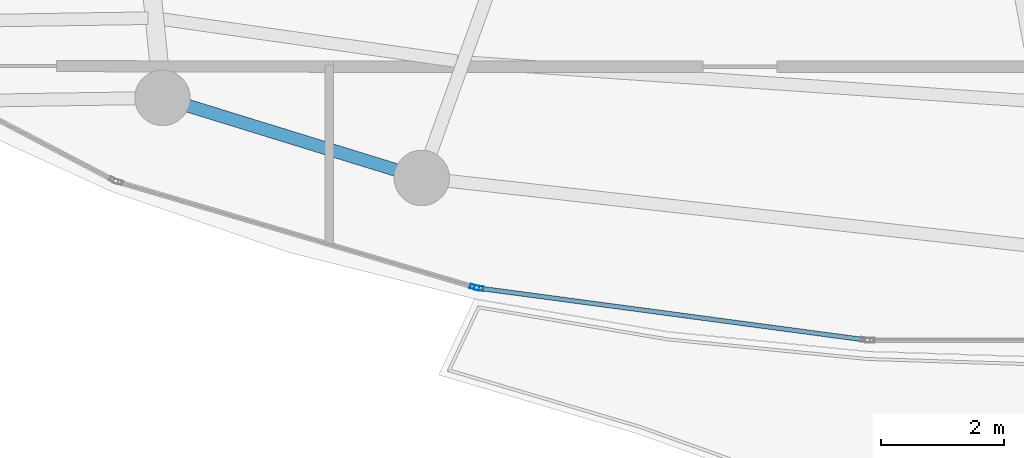
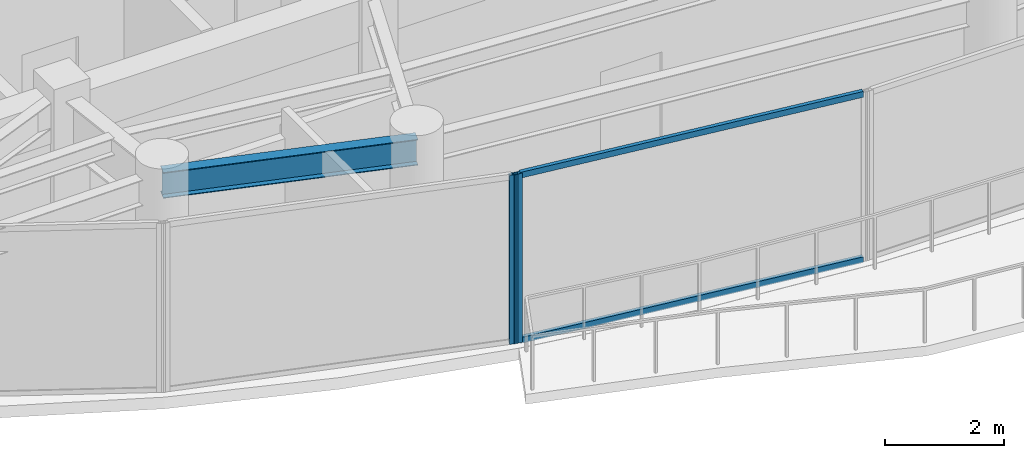
# One storey, part 5 of 29: 4 members, 1 beam, 2 elements without a shape of their own.
"""IFC4 building model written with IfcOpenShell, lengths in metres."""

from ifc_helpers import new_model, si_unit, direction, frame, origin, origin_2d, place, context, subcontext, project, spatial, hollow_rectangle, i_section, extrude, material, layer, layer_set, material_profile, profile_set, type_object, element, aggregate, save


model = new_model("IFC4")

# Units and contexts
model_context = context("Model", 3, precision=1e-05, world=origin(), true_north=direction((0.0, 1.0)))
body_context = subcontext(model_context, "Body", "Model", "MODEL_VIEW")
ifc_project = project(units=[si_unit("LENGTHUNIT", "METRE"), si_unit("AREAUNIT", "SQUARE_METRE"), si_unit("VOLUMEUNIT", "CUBIC_METRE"), si_unit("PLANEANGLEUNIT", "RADIAN"), si_unit("MASSUNIT", "GRAM", prefix="KILO")], contexts=[model_context])

# Site, building, storey
site_placement = place(None, origin())
site = spatial("IfcSite", under=ifc_project, at=site_placement, CompositionType="ELEMENT")
building_placement = place(site_placement, origin())
building = spatial("IfcBuilding", under=site, at=building_placement, Name="Kazevale Care Tower and Concert Hall", CompositionType="ELEMENT")
storey_placement = place(building_placement, frame((0.0, 0.0, 289.0)))
storey = spatial("IfcBuildingStorey", under=building, at=storey_placement, Name="L76", CompositionType="ELEMENT", Elevation=289.0)

# Curtain wall, member
ifc_material_1 = material(Name="Aluminium 6063-T6 and Low-E Glass", Category="aluminium")
ifc_layer = layer(ifc_material_1, 0.179931640625)
ifc_layer_set = layer_set([ifc_layer], Name="Aluminium 6063-T6 and Low-E Glass")
curtain_wall_type = type_object("IfcCurtainWallType", Name="Sheltered Concave Balcony Curtain Wall CW-5", PredefinedType="NOTDEFINED", material=ifc_layer_set)
curtain_wall_1_placement = place(storey_placement, origin())
curtain_wall_1 = element("IfcCurtainWall", 1, at=curtain_wall_1_placement, inside=storey, type_object=curtain_wall_type, Name="cw:L76:f07", PredefinedType="NOTDEFINED")
ifc_material_2 = material(Name="Aluminium 6063-T6", Category="aluminium")
ifc_material_profile_1 = material_profile(ifc_material_2, hollow_rectangle(XDim=0.074951171875, YDim=0.14990234375, WallThickness=0.00390625, at=origin_2d()), Name="ALU75x150x4")
ifc_profile_set_1 = profile_set([ifc_material_profile_1], Name="Aluminium 6063-T6")
member_type_1 = type_object("IfcMemberType", Name="CW-5 Mullion ALU75x150x4", PredefinedType="MULLION", material=ifc_profile_set_1)
member_1_placement = place(storey_placement, frame((35.43017578125, 17.629150390625, 0.0), z_axis=(0.0, 0.0, 1.0), x_axis=(-0.132542069018, -0.991177380664, 0.0)))
member_1 = element("IfcMember", 2, at=member_1_placement, type_object=member_type_1, Name="CW-5 mullion 2", PredefinedType="MULLION", context=body_context, shape_type="SweptSolid", body=[
    extrude(hollow_rectangle(XDim=0.074951171875, YDim=0.14990234375, WallThickness=0.00390625, at=origin_2d()), origin(), (0.0, 0.0, 1.0), 3.47998046875),
])

curtain_wall_2_placement = place(storey_placement, origin())
curtain_wall_2 = element("IfcCurtainWall", 3, at=curtain_wall_2_placement, inside=storey, type_object=curtain_wall_type, Name="cw:L76:f08", PredefinedType="NOTDEFINED")
member_2_placement = place(storey_placement, frame((35.35693359375, 17.64453125, 0.0), z_axis=(0.0, 0.0, 1.0), x_axis=(-0.283202506274, -0.959060133902, 0.0)))
member_2 = element("IfcMember", 4, at=member_2_placement, type_object=member_type_1, Name="CW-5 mullion 1", PredefinedType="MULLION", context=body_context, shape_type="SweptSolid", body=[
    extrude(hollow_rectangle(XDim=0.074951171875, YDim=0.14990234375, WallThickness=0.00390625, at=origin_2d()), origin(), (0.0, 0.0, 1.0), 3.47998046875),
])
aggregate(curtain_wall_2, [member_2])

# Member
ifc_material_profile_2 = material_profile(ifc_material_2, hollow_rectangle(XDim=0.074951171875, YDim=0.1201171875, WallThickness=0.00390625, at=origin_2d()), Name="ALU75x120x4")
ifc_profile_set_2 = profile_set([ifc_material_profile_2], Name="Aluminium 6063-T6")
member_type_2 = type_object("IfcMemberType", Name="CW-5 Transom ALU75x120x4", PredefinedType="USERDEFINED", material=ifc_profile_set_2)
member_3_placement = place(storey_placement, frame((41.667724609375, 16.794921875, 0.03759765625), z_axis=(-0.991178066261, 0.132536941884, 0.0), x_axis=(-0.132536941884, -0.991178066261, 0.0)))
member_3 = element("IfcMember", 5, at=member_3_placement, type_object=member_type_2, Name="CW-5 transom 1.1", ObjectType="TRANSOM", PredefinedType="USERDEFINED", context=body_context, shape_type="SweptSolid", body=[
    extrude(hollow_rectangle(XDim=0.074951171875, YDim=0.1201171875, WallThickness=0.00390625, at=origin_2d()), origin(), (0.0, 0.0, 1.0), 6.255615234375),
])

member_4_placement = place(storey_placement, frame((41.667724609375, 16.794921875, 3.4423828125), z_axis=(-0.991178066261, 0.132536941884, 0.0), x_axis=(-0.132536941884, -0.991178066261, 0.0)))
member_4 = element("IfcMember", 6, at=member_4_placement, type_object=member_type_2, Name="CW-5 transom 1.2", ObjectType="TRANSOM", PredefinedType="USERDEFINED", context=body_context, shape_type="SweptSolid", body=[
    extrude(hollow_rectangle(XDim=0.074951171875, YDim=0.1201171875, WallThickness=0.00390625, at=origin_2d()), origin(), (0.0, 0.0, 1.0), 6.255615234375),
])

aggregate(curtain_wall_1, [member_1, member_3, member_4])

# Beam
ifc_material_3 = material(Name="Steel ASTM A572 Gr 50", Category="steel")
ifc_material_profile_3 = material_profile(ifc_material_3, i_section(OverallWidth=0.208984375, OverallDepth=0.532958984375, WebThickness=0.01025390625, FlangeThickness=0.015625, at=origin_2d()), Name="W530x92")
ifc_profile_set_3 = profile_set([ifc_material_profile_3], Name="Steel ASTM A572 Gr 50")
beam_type = type_object("IfcBeamType", Name="Upper Ring Beam W530x92", PredefinedType="BEAM", material=ifc_profile_set_3)
beam_placement = place(storey_placement, frame((30.2900390625, 20.719970703125, 3.21337890625), z_axis=(0.955480204609, -0.295055212801, 0.0), x_axis=(0.295055212801, 0.955480204609, 0.0)))
element("IfcBeam", 7, at=beam_placement, inside=storey, type_object=beam_type, Name="beam:L76:ring:11", PredefinedType="BEAM", context=body_context, shape_type="SweptSolid", body=[
    extrude(i_section(OverallWidth=0.208984375, OverallDepth=0.532958984375, WebThickness=0.01025390625, FlangeThickness=0.015625, at=origin_2d()), origin(), (0.0, 0.0, 1.0), 4.406005859375),
])

save(model, "model.ifc")
